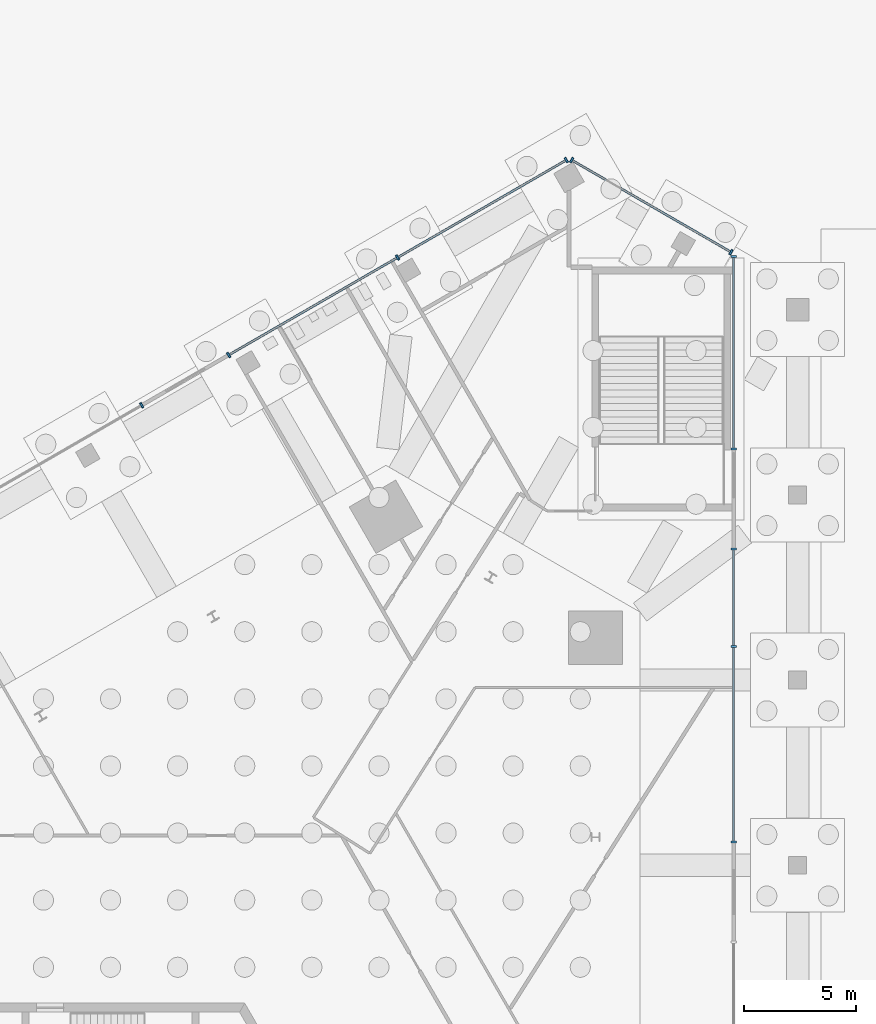
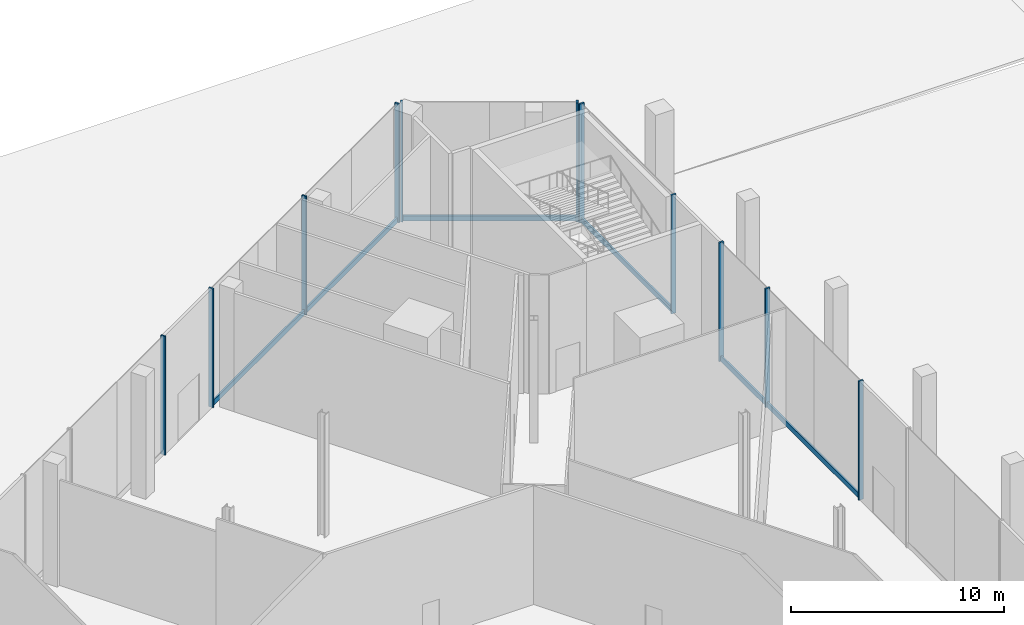
# One storey, part 13 of 27: 17 members, 5 elements without a shape of their own.
"""IFC4 building model written with IfcOpenShell, lengths in metres."""

import ifcopenshell
import ifcopenshell.guid

model = None  # the IFC model being written
_history = None  # IfcOwnerHistory: only IFC2X3 demands one
_inside = {}  # id of a spatial element -> (the spatial element, [elements in it])
_under = {}  # id of a project, library or spatial element -> (it, [spatial elements below it])
_declared = {}  # id of a project -> (the project, [libraries it declares])
_typed = {}  # id of a type object -> (the type object, [elements of that type])
_made_of = {}  # id of a material, layer set ... -> (it, [elements and type objects made of it])


def new_model(schema):
    """Start an empty IFC model of exactly this schema.

    Asked for "IFC4X3", IfcOpenShell would pick the latest addendum, in which some entities
    have other attributes; the version numbers below select the first issue.
    IFC2X3 requires an IfcOwnerHistory on every rooted entity: one is made here for all.
    """
    global model, _history
    if schema == "IFC4X3":
        model = ifcopenshell.file(schema_version=(4, 3, 0, 0))
    else:
        model = ifcopenshell.file(schema=schema)
    _inside.clear()
    _under.clear()
    _declared.clear()
    _typed.clear()
    _made_of.clear()
    _history = None
    if model.schema == "IFC2X3":
        org = make("IfcOrganization", Name="unknown")
        user = make(
            "IfcPersonAndOrganization",
            ThePerson=make("IfcPerson", FamilyName="unknown"),
            TheOrganization=org,
        )
        app = make(
            "IfcApplication",
            ApplicationDeveloper=org,
            Version="unknown",
            ApplicationFullName="unknown",
            ApplicationIdentifier="unknown",
        )
        _history = make(
            "IfcOwnerHistory",
            OwningUser=user,
            OwningApplication=app,
            ChangeAction="ADDED",
            CreationDate=0,
        )
    return model


def make(cls, **values):
    """One entity of the class cls with the attributes given. An attribute that is None is left unset."""
    return model.create_entity(
        cls, **{name: value for name, value in values.items() if value is not None}
    )


def rooted(cls, **values):
    """An entity with a GlobalId (a new one), such as an element, a storey or a relation."""
    return make(cls, GlobalId=ifcopenshell.guid.new(), OwnerHistory=_history, **values)


def si_unit(unit_type, name, prefix=None):
    """IfcSIUnit, for example si_unit("LENGTHUNIT", "METRE", prefix="MILLI")."""
    return make("IfcSIUnit", UnitType=unit_type, Prefix=prefix, Name=name)


def assignment(units):
    """IfcUnitAssignment: the units of a project."""
    return None if units is None else make("IfcUnitAssignment", Units=units)


def point(xyz):
    """IfcCartesianPoint."""
    return None if xyz is None else make("IfcCartesianPoint", Coordinates=xyz)


def direction(xyz):
    """IfcDirection."""
    return None if xyz is None else make("IfcDirection", DirectionRatios=xyz)


def frame(location, z_axis=None, x_axis=None):
    """IfcAxis2Placement3D, a coordinate frame: its origin and axes. An axis left out is left unset."""
    return make(
        "IfcAxis2Placement3D",
        Location=point(location),
        Axis=direction(z_axis),
        RefDirection=direction(x_axis),
    )


def frame_2d(location, x_axis=None):
    """IfcAxis2Placement2D, a coordinate frame in the plane: its origin and x axis."""
    return make(
        "IfcAxis2Placement2D", Location=point(location), RefDirection=direction(x_axis)
    )


def origin():
    """The frame at (0, 0, 0) with its axes left unset."""
    return frame((0.0, 0.0, 0.0))


def origin_2d():
    """The frame at (0, 0) in the plane with its x axis left unset."""
    return frame_2d((0.0, 0.0))


def place(relative_to, where):
    """IfcLocalPlacement: puts the frame where relative to a parent placement (None: the world)."""
    return make(
        "IfcLocalPlacement", PlacementRelTo=relative_to, RelativePlacement=where
    )


def context(
    kind, dimensions, precision=None, world=None, true_north=None, identifier=None
):
    """IfcGeometricRepresentationContext, for example the 3D "Model" context."""
    return make(
        "IfcGeometricRepresentationContext",
        ContextIdentifier=identifier,
        ContextType=kind,
        CoordinateSpaceDimension=dimensions,
        Precision=precision,
        WorldCoordinateSystem=world,
        TrueNorth=true_north,
    )


def subcontext(parent, identifier, kind, view, scale=None):
    """IfcGeometricRepresentationSubContext, for example "Body" below "Model"."""
    return make(
        "IfcGeometricRepresentationSubContext",
        ContextIdentifier=identifier,
        ContextType=kind,
        ParentContext=parent,
        TargetScale=scale,
        TargetView=view,
    )


def project(units=None, contexts=None):
    """IfcProject with its units and contexts."""
    return rooted(
        "IfcProject",
        Name="project",
        RepresentationContexts=contexts,
        UnitsInContext=assignment(units),
    )


def spatial(cls, under=None, at=None, **own):
    """A site, building, storey or space (cls), placed at a placement, below another one or the project."""
    s = rooted(cls, ObjectPlacement=at, **own)
    if under is not None:
        _under.setdefault(under.id(), (under, []))[1].append(s)
    return s


def profile(cls, at=None, kind="AREA", **sizes):
    """A parametric profile (cls). Its sizes go by their IFC names, for example OverallWidth=200.0."""
    return make(cls, ProfileType=kind, Position=at, **sizes)


def rectangle(**sizes):
    """IfcRectangleProfileDef."""
    return profile("IfcRectangleProfileDef", **sizes)


def extrude(swept, where, along, depth):
    """IfcExtrudedAreaSolid: the profile swept, set in the frame where, extruded along a direction by depth."""
    return make(
        "IfcExtrudedAreaSolid",
        SweptArea=swept,
        Position=where,
        ExtrudedDirection=direction(along),
        Depth=depth,
    )


def shape(context_of_items, identifier, shape_type, items):
    """IfcShapeRepresentation: the items that make up one representation, for example the "Body"."""
    return make(
        "IfcShapeRepresentation",
        ContextOfItems=context_of_items,
        RepresentationIdentifier=identifier,
        RepresentationType=shape_type,
        Items=items,
    )


def source(mapping_origin, context_of_items, identifier, shape_type, items):
    """IfcRepresentationMap: a shape defined once, which mapped items show again and again."""
    return make(
        "IfcRepresentationMap",
        MappingOrigin=mapping_origin,
        MappedRepresentation=shape(context_of_items, identifier, shape_type, items),
    )


def transform(
    local_origin,
    x_axis=None,
    y_axis=None,
    z_axis=None,
    scale=None,
    scale2=None,
    scale3=None,
    uniform=True,
):
    """IfcCartesianTransformationOperator3D, or its non-uniform kind. x_axis, y_axis, z_axis: its Axis1, 2, 3."""
    if uniform:
        return make(
            "IfcCartesianTransformationOperator3D",
            Axis1=direction(x_axis),
            Axis2=direction(y_axis),
            LocalOrigin=point(local_origin),
            Scale=scale,
            Axis3=direction(z_axis),
        )
    return make(
        "IfcCartesianTransformationOperator3DnonUniform",
        Axis1=direction(x_axis),
        Axis2=direction(y_axis),
        LocalOrigin=point(local_origin),
        Scale=scale,
        Axis3=direction(z_axis),
        Scale2=scale2,
        Scale3=scale3,
    )


def mapped(mapping_source, mapping_target):
    """IfcMappedItem: shows the shape of a source again, moved by a transform."""
    return make(
        "IfcMappedItem", MappingSource=mapping_source, MappingTarget=mapping_target
    )


def material(Name=None, Category=None):
    """IfcMaterial."""
    return make("IfcMaterial", Name=Name, Category=Category)


def material_profile(
    of_material, cross_section, Name=None, Category=None, Priority=None
):
    """IfcMaterialProfile: a cross section and its material."""
    return make(
        "IfcMaterialProfile",
        Name=Name,
        Material=of_material,
        Profile=cross_section,
        Priority=Priority,
        Category=Category,
    )


def profile_set(profiles, Name=None, composite=None):
    """IfcMaterialProfileSet."""
    return make(
        "IfcMaterialProfileSet",
        Name=Name,
        MaterialProfiles=profiles,
        CompositeProfile=composite,
    )


def made_of(thing, what):
    """Note that an element or type object is made of a material, layer set ...; save() writes the relation."""
    if what is not None:
        _made_of.setdefault(what.id(), (what, []))[1].append(thing)
    return thing


def type_object(cls, material=None, **own):
    """A type object (cls), such as IfcWallType, which elements share."""
    return made_of(rooted(cls, **own), material)


def element(
    cls,
    number,
    at=None,
    inside=None,
    cuts=None,
    type_object=None,
    material=None,
    context=None,
    identifier="Body",
    shape_type=None,
    held_by="IfcProductDefinitionShape",
    body=None,
    shapes=None,
    **own,
):
    """One element of the class cls, such as IfcWall. Its Tag is "e" and its number.

    at: its placement. inside: the storey or other place that contains it. cuts: it is an
    opening in that element (IfcRelVoidsElement). A single representation is given by context,
    identifier, shape_type and body (its items); several are given by shapes. held_by: the class
    of the entity that holds the representations. save() writes the other relations.
    """
    e = rooted(cls, Tag="e%d" % number, ObjectPlacement=at, **own)
    if body is not None:
        shapes = [shape(context, identifier, shape_type, body)]
    if shapes is not None:
        e.Representation = make(held_by, Representations=shapes)
    if inside is not None:
        _inside.setdefault(inside.id(), (inside, []))[1].append(e)
    if cuts is not None:
        rooted(
            "IfcRelVoidsElement", RelatingBuildingElement=cuts, RelatedOpeningElement=e
        )
    if type_object is not None:
        _typed.setdefault(type_object.id(), (type_object, []))[1].append(e)
    return made_of(e, material)


def aggregate(whole, parts):
    """IfcRelAggregates: a whole, such as a stair, and the parts it consists of."""
    return rooted("IfcRelAggregates", RelatingObject=whole, RelatedObjects=parts)


def save(model, path):
    """Write the relations noted so far, then the file.

    IfcRelAggregates (storeys below a building ...), IfcRelContainedInSpatialStructure (elements
    in a storey), IfcRelDefinesByType, IfcRelAssociatesMaterial and IfcRelDeclares: one each for
    every whole, place, type object, material and project.
    """
    for whole, parts in _under.values():
        aggregate(whole, parts)
    for where, things in _inside.values():
        rooted(
            "IfcRelContainedInSpatialStructure",
            RelatedElements=things,
            RelatingStructure=where,
        )
    for kind, things in _typed.values():
        rooted("IfcRelDefinesByType", RelatedObjects=things, RelatingType=kind)
    for what, things in _made_of.values():
        rooted("IfcRelAssociatesMaterial", RelatedObjects=things, RelatingMaterial=what)
    for by, libraries in _declared.values():
        rooted("IfcRelDeclares", RelatingContext=by, RelatedDefinitions=libraries)
    model.write(path)


model = new_model("IFC4")

# Units and contexts
model_context = context("Model", 3, precision=1e-05, world=origin(), true_north=direction((0.0, 1.0)))
body_context = subcontext(model_context, "Body", "Model", "MODEL_VIEW")
ifc_project = project(units=[si_unit("LENGTHUNIT", "METRE"), si_unit("AREAUNIT", "SQUARE_METRE"), si_unit("VOLUMEUNIT", "CUBIC_METRE"), si_unit("PLANEANGLEUNIT", "RADIAN"), si_unit("MASSUNIT", "GRAM", prefix="KILO")], contexts=[model_context])

# Site, building, storey
site_placement = place(None, origin())
site = spatial("IfcSite", under=ifc_project, at=site_placement, CompositionType="ELEMENT")
building_placement = place(site_placement, origin())
building = spatial("IfcBuilding", under=site, at=building_placement, Name="Triune Harvest Tower", CompositionType="ELEMENT")
storey_placement = place(building_placement, origin())
storey = spatial("IfcBuildingStorey", under=building, at=storey_placement, Name="L00", CompositionType="ELEMENT", Elevation=0.0)

# Curtain wall, members
ifc_material_1 = material(Name="Aluminium bronze anodised", Category="aluminium")
curtain_wall_type = type_object("IfcCurtainWallType", Name="CW-2 Podium shopfront wall", PredefinedType="NOTDEFINED", material=ifc_material_1)
curtain_wall_1_placement = place(storey_placement, origin())
curtain_wall_1 = element("IfcCurtainWall", 1, at=curtain_wall_1_placement, inside=storey, type_object=curtain_wall_type, Name="CW-2 PD-F1 L00 run 5")
ifc_material_2 = material(Name="Aluminium bronze anodised", Category="aluminium")
ifc_material_profile_1 = material_profile(ifc_material_2, rectangle(XDim=0.10009765625, YDim=0.300048828125, at=origin_2d()), Name="TR-2 transom 100 x 300")
ifc_profile_set_1 = profile_set([ifc_material_profile_1], Name="Aluminium bronze anodised")
member_type_1 = type_object("IfcMemberType", Name="TR-2 transom 100 x 300", PredefinedType="USERDEFINED", material=ifc_profile_set_1)
member_1_placement = place(storey_placement, frame((27.854248046875, 26.38818359375, 0.14990234375), z_axis=(0.0, 1.0, 0.0), x_axis=(-1.0, 0.0, 0.0)))
member_1 = element("IfcMember", 2, at=member_1_placement, type_object=member_type_1, Name="CW-2 transom PD-F1 5.2", ObjectType="TRANSOM", PredefinedType="USERDEFINED", context=body_context, shape_type="SweptSolid", body=[
    extrude(rectangle(XDim=0.10009765625, YDim=0.300048828125, at=origin_2d()), origin(), (0.0, 0.0, 1.0), 4.25537109375),
])
ifc_material_3 = material(Name="Aluminium bronze anodised", Category="aluminium")
ifc_material_profile_2 = material_profile(ifc_material_3, rectangle(XDim=0.25, YDim=0.090087890625, at=origin_2d()), Name="MU-2 mullion 90 x 250")
ifc_profile_set_2 = profile_set([ifc_material_profile_2], Name="Aluminium bronze anodised")
member_type_2 = type_object("IfcMemberType", Name="MU-2 mullion 90 x 250", PredefinedType="MULLION", material=ifc_profile_set_2)
shared_shape_1 = source(origin(), body_context, "Body", "SweptSolid", [
    extrude(rectangle(XDim=0.25, YDim=0.090087890625, at=origin_2d()), origin(), (0.0, 0.0, 1.0), 6.800048828125),
])
member_2_placement = place(storey_placement, frame((27.854248046875, 17.607177734375, 0.0), z_axis=(0.0, 0.0, 1.0), x_axis=(-1.0, 0.0, 0.0)))
member_2 = element("IfcMember", 3, at=member_2_placement, type_object=member_type_2, Name="CW-2 mullion PD-F1 5.1", PredefinedType="MULLION", context=body_context, shape_type="MappedRepresentation", body=[
    mapped(shared_shape_1, transform((0.0, 0.0, 0.0), scale=1.0)),
])
member_3_placement = place(storey_placement, frame((27.854248046875, 26.343017578125, 0.0), z_axis=(0.0, 0.0, 1.0), x_axis=(-1.0, 0.0, 0.0)))
member_3 = element("IfcMember", 4, at=member_3_placement, type_object=member_type_2, Name="CW-2 mullion PD-F1 5.3", PredefinedType="MULLION", context=body_context, shape_type="MappedRepresentation", body=[
    mapped(shared_shape_1, transform((0.0, 0.0, 0.0), scale=1.0)),
])
member_4_placement = place(storey_placement, frame((27.854248046875, 30.688720703125, 0.0), z_axis=(0.0, 0.0, 1.0), x_axis=(-1.0, 0.0, 0.0)))
member_4 = element("IfcMember", 5, at=member_4_placement, type_object=member_type_2, Name="CW-2 mullion PD-F1 5.4", PredefinedType="MULLION", context=body_context, shape_type="MappedRepresentation", body=[
    mapped(shared_shape_1, transform((0.0, 0.0, 0.0), scale=1.0)),
])

curtain_wall_2_placement = place(storey_placement, origin())
curtain_wall_2 = element("IfcCurtainWall", 6, at=curtain_wall_2_placement, inside=storey, type_object=curtain_wall_type, Name="CW-2 PD-F1 L00 run 6")
member_5_placement = place(storey_placement, frame((27.854248046875, 35.169189453125, 0.0), z_axis=(0.0, 0.0, 1.0), x_axis=(-1.0, 0.0, 0.0)))
member_5 = element("IfcMember", 7, at=member_5_placement, type_object=member_type_2, Name="CW-2 mullion PD-F1 6.1", PredefinedType="MULLION", context=body_context, shape_type="MappedRepresentation", body=[
    mapped(shared_shape_1, transform((0.0, 0.0, 0.0), scale=1.0)),
])
member_6_placement = place(storey_placement, frame((27.854248046875, 43.770263671875, 0.0), z_axis=(0.0, 0.0, 1.0), x_axis=(-1.0, 0.0, 0.0)))
member_6 = element("IfcMember", 8, at=member_6_placement, type_object=member_type_2, Name="CW-2 mullion PD-F1 6.3", PredefinedType="MULLION", context=body_context, shape_type="MappedRepresentation", body=[
    mapped(shared_shape_1, transform((0.0, 0.0, 0.0), scale=1.0)),
])

curtain_wall_3_placement = place(storey_placement, origin())
curtain_wall_3 = element("IfcCurtainWall", 9, at=curtain_wall_3_placement, inside=storey, type_object=curtain_wall_type, Name="CW-2 PD-F2 L00 run 1")
member_7_placement = place(storey_placement, frame((27.7373046875, 43.97265625, 0.0), z_axis=(0.0, 0.0, 1.0), x_axis=(-0.5000022755, -0.86602409002, 0.0)))
member_7 = element("IfcMember", 10, at=member_7_placement, type_object=member_type_2, Name="CW-2 mullion PD-F2 1.1", PredefinedType="MULLION", context=body_context, shape_type="MappedRepresentation", body=[
    mapped(shared_shape_1, transform((0.0, 0.0, 0.0), scale=1.0)),
])
member_8_placement = place(storey_placement, frame((20.61279296875, 48.086181640625, 0.0), z_axis=(0.0, 0.0, 1.0), x_axis=(-0.5000022755, -0.86602409002, 0.0)))
member_8 = element("IfcMember", 11, at=member_8_placement, type_object=member_type_2, Name="CW-2 mullion PD-F2 1.3", PredefinedType="MULLION", context=body_context, shape_type="MappedRepresentation", body=[
    mapped(shared_shape_1, transform((0.0, 0.0, 0.0), scale=1.0)),
])

curtain_wall_4_placement = place(storey_placement, origin())
curtain_wall_4 = element("IfcCurtainWall", 12, at=curtain_wall_4_placement, inside=storey, type_object=curtain_wall_type, Name="CW-2 PD-F3 L00 run 1")
member_9_placement = place(storey_placement, frame((20.37890625, 48.086181640625, 0.0), z_axis=(0.0, 0.0, 1.0), x_axis=(0.500000221117, -0.866025276122, 0.0)))
member_9 = element("IfcMember", 13, at=member_9_placement, type_object=member_type_2, Name="CW-2 mullion PD-F3 1.1", PredefinedType="MULLION", context=body_context, shape_type="MappedRepresentation", body=[
    mapped(shared_shape_1, transform((0.0, 0.0, 0.0), scale=1.0)),
])
member_10_placement = place(storey_placement, frame((12.8310546875, 43.728271484375, 0.0), z_axis=(0.0, 0.0, 1.0), x_axis=(0.500000221117, -0.866025276122, 0.0)))
member_10 = element("IfcMember", 14, at=member_10_placement, type_object=member_type_2, Name="CW-2 mullion PD-F3 1.3", PredefinedType="MULLION", context=body_context, shape_type="MappedRepresentation", body=[
    mapped(shared_shape_1, transform((0.0, 0.0, 0.0), scale=1.0)),
])
member_11_placement = place(storey_placement, frame((5.282958984375, 39.370361328125, 0.0), z_axis=(0.0, 0.0, 1.0), x_axis=(0.500000221117, -0.866025276122, 0.0)))
member_11 = element("IfcMember", 15, at=member_11_placement, type_object=member_type_2, Name="CW-2 mullion PD-F3 1.5", PredefinedType="MULLION", context=body_context, shape_type="MappedRepresentation", body=[
    mapped(shared_shape_1, transform((0.0, 0.0, 0.0), scale=1.0)),
])

# Curtain wall, member
curtain_wall_5_placement = place(storey_placement, origin())
curtain_wall_5 = element("IfcCurtainWall", 16, at=curtain_wall_5_placement, inside=storey, type_object=curtain_wall_type, Name="CW-2 PD-F3 L00 run 2")
member_12_placement = place(storey_placement, frame((1.39208984375, 37.1240234375, 0.0), z_axis=(0.0, 0.0, 1.0), x_axis=(0.500000221117, -0.866025276122, 0.0)))
member_12 = element("IfcMember", 17, at=member_12_placement, type_object=member_type_2, Name="CW-2 mullion PD-F3 2.1", PredefinedType="MULLION", context=body_context, shape_type="MappedRepresentation", body=[
    mapped(shared_shape_1, transform((0.0, 0.0, 0.0), scale=1.0)),
])
aggregate(curtain_wall_5, [member_12])

# Member
shared_shape_2 = source(origin(), body_context, "Body", "SweptSolid", [
    extrude(rectangle(XDim=0.10009765625, YDim=0.300048828125, at=origin_2d()), origin(), (0.0, 0.0, 1.0), 8.510986328125),
])
member_13_placement = place(storey_placement, frame((27.854248046875, 35.214111328125, 0.14990234375), z_axis=(0.0, 1.0, 0.0), x_axis=(-1.0, 0.0, 0.0)))
member_13 = element("IfcMember", 18, at=member_13_placement, type_object=member_type_1, Name="CW-2 transom PD-F1 6.1", ObjectType="TRANSOM", PredefinedType="USERDEFINED", context=body_context, shape_type="MappedRepresentation", body=[
    mapped(shared_shape_2, transform((0.0, 0.0, 0.0), scale=1.0)),
])

aggregate(curtain_wall_2, [member_5, member_6, member_13])

shared_shape_3 = source(origin(), body_context, "Body", "SweptSolid", [
    extrude(rectangle(XDim=0.10009765625, YDim=0.300048828125, at=origin_2d()), origin(), (0.0, 0.0, 1.0), 8.64599609375),
])
member_14_placement = place(storey_placement, frame((27.854248046875, 17.652099609375, 0.14990234375), z_axis=(0.0, 1.0, 0.0), x_axis=(-1.0, 0.0, 0.0)))
member_14 = element("IfcMember", 19, at=member_14_placement, type_object=member_type_1, Name="CW-2 transom PD-F1 5.1", ObjectType="TRANSOM", PredefinedType="USERDEFINED", context=body_context, shape_type="MappedRepresentation", body=[
    mapped(shared_shape_3, transform((0.0, 0.0, 0.0), scale=1.0)),
])

aggregate(curtain_wall_1, [member_2, member_3, member_4, member_14, member_1])

shared_shape_4 = source(origin(), body_context, "Body", "SweptSolid", [
    extrude(rectangle(XDim=0.10009765625, YDim=0.300048828125, at=origin_2d()), origin(), (0.0, 0.0, 1.0), 8.136962890625),
])
member_15_placement = place(storey_placement, frame((27.698486328125, 43.9951171875, 0.14990234375), z_axis=(-0.86601320148, 0.500021134416, 0.0), x_axis=(-0.500021134416, -0.86601320148, 0.0)))
member_15 = element("IfcMember", 20, at=member_15_placement, type_object=member_type_1, Name="CW-2 transom PD-F2 1.1", ObjectType="TRANSOM", PredefinedType="USERDEFINED", context=body_context, shape_type="MappedRepresentation", body=[
    mapped(shared_shape_4, transform((0.0, 0.0, 0.0), scale=1.0)),
])

aggregate(curtain_wall_3, [member_7, member_8, member_15])

shared_shape_5 = source(origin(), body_context, "Body", "SweptSolid", [
    extrude(rectangle(XDim=0.10009765625, YDim=0.300048828125, at=origin_2d()), origin(), (0.0, 0.0, 1.0), 8.6259765625),
])
member_16_placement = place(storey_placement, frame((20.340087890625, 48.063720703125, 0.14990234375), z_axis=(-0.866022505755, -0.5000050195, 0.0), x_axis=(0.5000050195, -0.866022505755, 0.0)))
member_16 = element("IfcMember", 21, at=member_16_placement, type_object=member_type_1, Name="CW-2 transom PD-F3 1.1", ObjectType="TRANSOM", PredefinedType="USERDEFINED", context=body_context, shape_type="MappedRepresentation", body=[
    mapped(shared_shape_5, transform((0.0, 0.0, 0.0), scale=1.0)),
])

shared_shape_6 = source(origin(), body_context, "Body", "SweptSolid", [
    extrude(rectangle(XDim=0.10009765625, YDim=0.300048828125, at=origin_2d()), origin(), (0.0, 0.0, 1.0), 8.62548828125),
])
member_17_placement = place(storey_placement, frame((12.7919921875, 43.705810546875, 0.14990234375), z_axis=(-0.866027685701, -0.499996047583, 0.0), x_axis=(0.499996047583, -0.866027685701, 0.0)))
member_17 = element("IfcMember", 22, at=member_17_placement, type_object=member_type_1, Name="CW-2 transom PD-F3 1.2", ObjectType="TRANSOM", PredefinedType="USERDEFINED", context=body_context, shape_type="MappedRepresentation", body=[
    mapped(shared_shape_6, transform((0.0, 0.0, 0.0), scale=1.0)),
])

aggregate(curtain_wall_4, [member_9, member_10, member_11, member_16, member_17])

save(model, "model.ifc")
